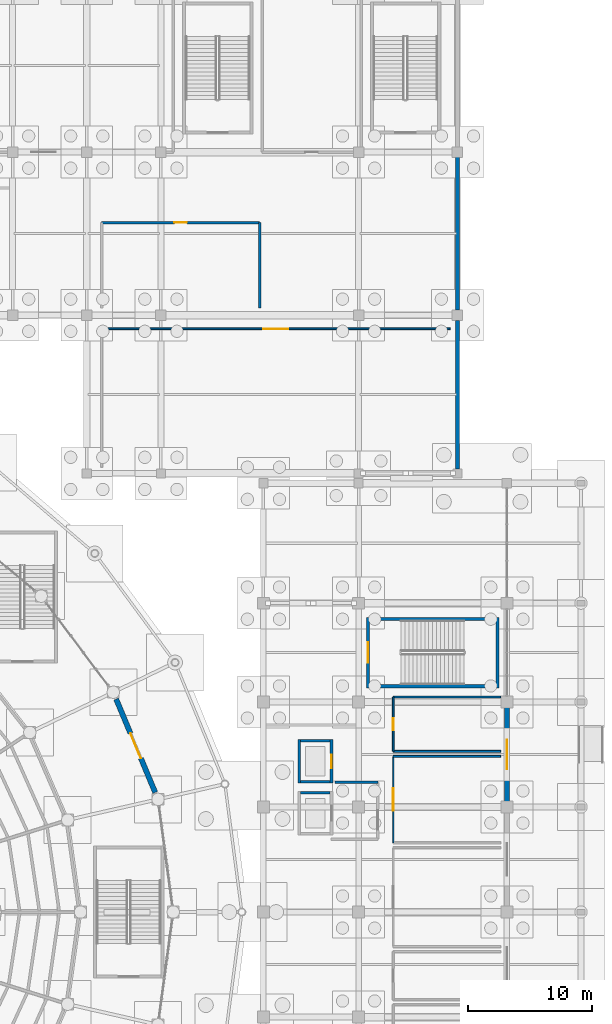
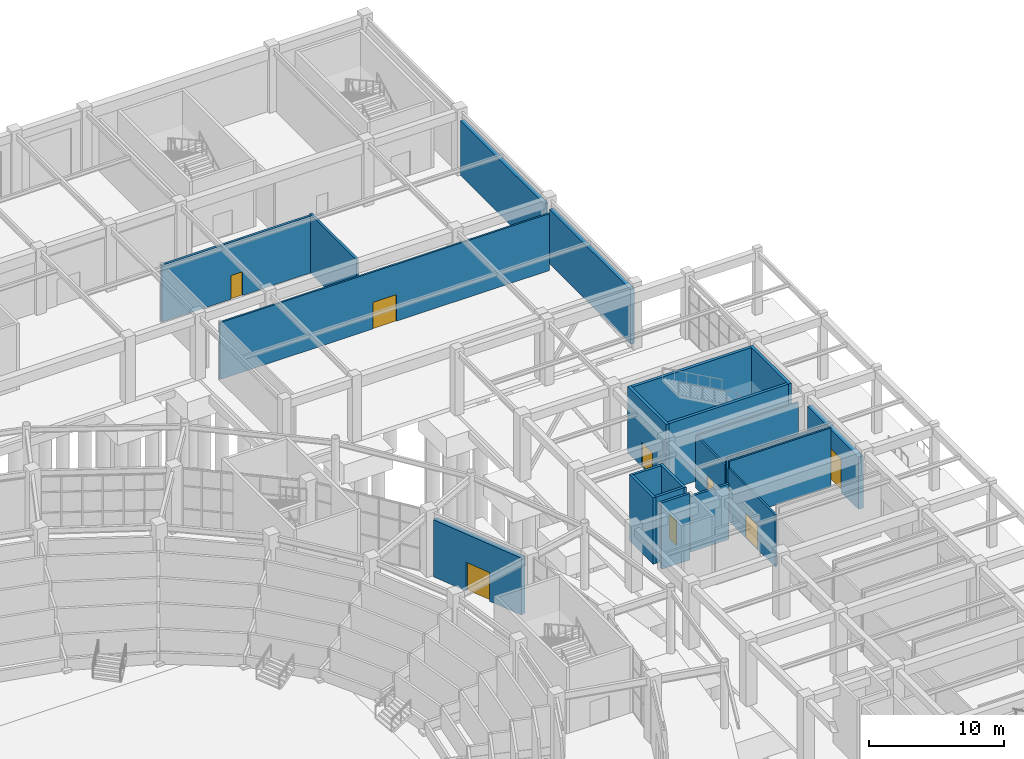
# One storey, part 92 of 121: 22 walls, 8 doors, 8 openings.
"""IFC4 building model written with IfcOpenShell, lengths in metres."""

from ifc_helpers import new_model, si_unit, direction, frame, frame_2d, origin, place, context, subcontext, project, spatial, rectangle, extrude, material, layer, layer_set, type_object, element, fill, save


model = new_model("IFC4")

# Units and contexts
model_context = context("Model", 3, precision=1e-05, world=origin(), true_north=direction((0.0, 1.0)))
body_context = subcontext(model_context, "Body", "Model", "MODEL_VIEW")
ifc_project = project(units=[si_unit("LENGTHUNIT", "METRE"), si_unit("AREAUNIT", "SQUARE_METRE"), si_unit("VOLUMEUNIT", "CUBIC_METRE"), si_unit("PLANEANGLEUNIT", "RADIAN"), si_unit("MASSUNIT", "GRAM", prefix="KILO")], contexts=[model_context])

# Site, building, storey
site_placement = place(None, origin())
site = spatial("IfcSite", under=ifc_project, at=site_placement, CompositionType="ELEMENT")
building_placement = place(site_placement, origin())
building = spatial("IfcBuilding", under=site, at=building_placement, Name="Cuetzalor Civic Arena", CompositionType="ELEMENT")
storey_placement = place(building_placement, origin())
storey = spatial("IfcBuildingStorey", under=building, at=storey_placement, Name="L00", CompositionType="ELEMENT", Elevation=0.0)

# Wall
ifc_material_1 = material(Name="Acoustic steel-stud gypsum partition", Category="steel")
ifc_layer_1 = layer(ifc_material_1, 0.14990234375)
ifc_layer_set_1 = layer_set([ifc_layer_1], Name="Acoustic steel-stud gypsum partition")
wall_type_1 = type_object("IfcWallType", Name="AcousticGypsumPartition_150", PredefinedType="PARTITIONING", material=ifc_layer_set_1)
wall_1_placement = place(storey_placement, frame((66.800048828125, 12.60009765625, 0.0), z_axis=(0.0, 0.0, 1.0), x_axis=(1.0, 0.0, 0.0)))
element("IfcWall", 1, at=wall_1_placement, inside=storey, type_object=wall_type_1, Name="Interior Partition IWALL:L00:0122", PredefinedType="PARTITIONING", context=body_context, shape_type="SweptSolid", body=[
    extrude(rectangle(XDim=8.699951171875, YDim=0.14990234375, at=frame_2d((4.35009765625, 0.0))), origin(), (0.0, 0.0, 1.0), 5.320068359375),
])

# Wall, opening, door
wall_2_placement = place(storey_placement, frame((66.800048828125, 5.60009765625, 0.0), z_axis=(0.0, 0.0, 1.0), x_axis=(0.0, 1.0, 0.0)))
wall_2 = element("IfcWall", 2, at=wall_2_placement, inside=storey, type_object=wall_type_1, Name="Interior Partition IWALL:L00:0124", PredefinedType="PARTITIONING", context=body_context, shape_type="SweptSolid", body=[
    extrude(rectangle(XDim=7.0, YDim=0.14990234375, at=frame_2d((3.5, 0.0))), origin(), (0.0, 0.0, 1.0), 4.72509765625),
])
opening_1_placement = place(wall_2_placement, frame((2.60009765625, 0.0, 0.0)))
opening_1 = element("IfcOpeningElement", 3, at=opening_1_placement, cuts=wall_2, Name="Opening ID-06", PredefinedType="OPENING", context=body_context, shape_type="SweptSolid", body=[
    extrude(rectangle(XDim=1.800048828125, YDim=2.199951171875, at=frame_2d((0.89990234375, 1.10009765625))), frame((0.0, 0.0849609375, 0.0), z_axis=(0.0, -1.0, 0.0), x_axis=(1.0, 0.0, 0.0)), (0.0, 0.0, 1.0), 0.169921875),
])
ifc_material_2 = material(Name="Glazed bronze acoustic double door", Category="metal")
door_type_1 = type_object("IfcDoorType", Name="PublicDoubleDoor_1800x2200", OperationType="DOUBLE_DOOR_SINGLE_SWING", PredefinedType="DOOR", material=ifc_material_2)
door_1_placement = place(opening_1_placement, origin())
door_1 = element("IfcDoor", 4, at=door_1_placement, inside=storey, type_object=door_type_1, Name="Door to Concessions Hall East North L00", OperationType="DOUBLE_DOOR_SINGLE_SWING", OverallHeight=2.199951171875, OverallWidth=1.800048828125, PredefinedType="DOOR", context=body_context, shape_type="SweptSolid", body=[
    extrude(rectangle(XDim=1.800048828125, YDim=2.199951171875, at=frame_2d((0.89990234375, 1.10009765625))), frame((0.0, 0.02490234375, 0.0), z_axis=(0.0, -1.0, 0.0), x_axis=(1.0, 0.0, 0.0)), (0.0, 0.0, 1.0), 0.050048828125),
])
fill(opening_1, door_1)

# Walls
wall_3_placement = place(storey_placement, frame((66.800048828125, 17.39990234375, 0.0), z_axis=(0.0, 0.0, 1.0), x_axis=(1.0, 0.0, 0.0)))
element("IfcWall", 5, at=wall_3_placement, inside=storey, type_object=wall_type_1, Name="Interior Partition IWALL:L00:0125", PredefinedType="PARTITIONING", context=body_context, shape_type="SweptSolid", body=[
    extrude(rectangle(XDim=8.699951171875, YDim=0.14990234375, at=frame_2d((4.35009765625, 0.0))), origin(), (0.0, 0.0, 1.0), 4.72509765625),
])
wall_4_placement = place(storey_placement, frame((75.5, 13.0, 0.0), z_axis=(0.0, 0.0, 1.0), x_axis=(-1.0, 0.0, 0.0)))
element("IfcWall", 6, at=wall_4_placement, inside=storey, type_object=wall_type_1, Name="Interior Partition IWALL:L00:0126", PredefinedType="PARTITIONING", context=body_context, shape_type="SweptSolid", body=[
    extrude(rectangle(XDim=8.699951171875, YDim=0.14990234375, at=frame_2d((4.35009765625, 0.0))), origin(), (0.0, 0.0, 1.0), 5.320068359375),
])

# Wall, opening, door
wall_5_placement = place(storey_placement, frame((66.800048828125, 13.0, 0.0), z_axis=(0.0, 0.0, 1.0), x_axis=(0.0, 1.0, 0.0)))
wall_5 = element("IfcWall", 7, at=wall_5_placement, inside=storey, type_object=wall_type_1, Name="Interior Partition IWALL:L00:0127", PredefinedType="PARTITIONING", context=body_context, shape_type="SweptSolid", body=[
    extrude(rectangle(XDim=4.39990234375, YDim=0.14990234375, at=frame_2d((2.199951171875, 0.0))), origin(), (0.0, 0.0, 1.0), 4.72509765625),
])
opening_2_placement = place(wall_5_placement, frame((1.72509765625, 0.0, 0.0)))
opening_2 = element("IfcOpeningElement", 8, at=opening_2_placement, cuts=wall_5, Name="Opening ID-03", PredefinedType="OPENING", context=body_context, shape_type="SweptSolid", body=[
    extrude(rectangle(XDim=0.949951171875, YDim=2.14990234375, at=frame_2d((0.47509765625, 1.074951171875))), frame((0.0, 0.0849609375, 0.0), z_axis=(0.0, -1.0, 0.0), x_axis=(1.0, 0.0, 0.0)), (0.0, 0.0, 1.0), 0.169921875),
])
ifc_material_3 = material(Name="Painted steel frame and solid timber leaf", Category="steel")
door_type_2 = type_object("IfcDoorType", Name="InteriorSingleDoor_950x2150", OperationType="NOTDEFINED", PredefinedType="DOOR", material=ifc_material_3)
door_2_placement = place(opening_2_placement, origin())
door_2 = element("IfcDoor", 9, at=door_2_placement, inside=storey, type_object=door_type_2, Name="Door to Public Restroom East North L00", OperationType="SINGLE_SWING_RIGHT", OverallHeight=2.14990234375, OverallWidth=0.949951171875, PredefinedType="DOOR", context=body_context, shape_type="SweptSolid", body=[
    extrude(rectangle(XDim=0.949951171875, YDim=2.14990234375, at=frame_2d((0.47509765625, 1.074951171875))), frame((0.0, 0.02490234375, 0.0), z_axis=(0.0, -1.0, 0.0), x_axis=(1.0, 0.0, 0.0)), (0.0, 0.0, 1.0), 0.050048828125),
])
fill(opening_2, door_2)

wall_6_placement = place(storey_placement, frame((43.199951171875, 47.199951171875, 0.0), z_axis=(0.0, 0.0, 1.0), x_axis=(1.0, 0.0, 0.0)))
wall_6 = element("IfcWall", 10, at=wall_6_placement, inside=storey, type_object=wall_type_1, Name="Interior Partition IWALL:L00:0179", PredefinedType="PARTITIONING", context=body_context, shape_type="SweptSolid", body=[
    extrude(rectangle(XDim=28.199951171875, YDim=0.14990234375, at=frame_2d((14.10009765625, 0.0))), origin(), (0.0, 0.0, 1.0), 5.14208984375),
])
opening_3_placement = place(wall_6_placement, frame((13.10009765625, 0.0, 0.0)))
opening_3 = element("IfcOpeningElement", 11, at=opening_3_placement, cuts=wall_6, Name="Opening ID-08", PredefinedType="OPENING", context=body_context, shape_type="SweptSolid", body=[
    extrude(rectangle(XDim=2.0, YDim=2.39990234375, at=frame_2d((1.0, 1.199951171875))), frame((0.0, 0.0849609375, 0.0), z_axis=(0.0, -1.0, 0.0), x_axis=(1.0, 0.0, 0.0)), (0.0, 0.0, 1.0), 0.169921875),
])
ifc_material_4 = material(Name="Heavy-duty steel back-of-house double door", Category="steel")
door_type_3 = type_object("IfcDoorType", Name="ServiceDoubleDoor_2000x2400", OperationType="DOUBLE_DOOR_SINGLE_SWING", PredefinedType="DOOR", material=ifc_material_4)
door_3_placement = place(opening_3_placement, origin())
door_3 = element("IfcDoor", 12, at=door_3_placement, inside=storey, type_object=door_type_3, Name="Door to Event Equipment and Seating Store", OperationType="DOUBLE_DOOR_SINGLE_SWING", OverallHeight=2.39990234375, OverallWidth=2.0, PredefinedType="DOOR", context=body_context, shape_type="SweptSolid", body=[
    extrude(rectangle(XDim=2.0, YDim=2.39990234375, at=frame_2d((1.0, 1.199951171875))), frame((0.0, 0.02490234375, 0.0), z_axis=(0.0, -1.0, 0.0), x_axis=(1.0, 0.0, 0.0)), (0.0, 0.0, 1.0), 0.050048828125),
])
fill(opening_3, door_3)

# Walls
ifc_material_5 = material(Name="Dark volcanic basalt ashlar on Concrete C35/45", Category="masonry")
ifc_layer_2 = layer(ifc_material_5, 0.35009765625)
ifc_layer_set_2 = layer_set([ifc_layer_2], Name="Dark volcanic basalt ashlar on Concrete C35/45")
wall_type_2 = type_object("IfcWallType", Name="BasaltAshlarWall_350", PredefinedType="SOLIDWALL", material=ifc_layer_set_2)
wall_7_placement = place(storey_placement, frame((72.0, 47.89306640625, 0.0), z_axis=(0.0, 0.0, 1.0), x_axis=(0.0, -1.0, 0.0)))
element("IfcWall", 13, at=wall_7_placement, inside=storey, type_object=wall_type_2, Name="North Wing East Basalt Wall L00-234", PredefinedType="SOLIDWALL", context=body_context, shape_type="SweptSolid", body=[
    extrude(rectangle(XDim=12.0361328125, YDim=0.35009765625, at=frame_2d((6.01806640625, 0.0))), origin(), (0.0, 0.0, 1.0), 4.93994140625),
])
wall_8_placement = place(storey_placement, frame((72.0, 61.093017578125, 0.0), z_axis=(0.0, 0.0, 1.0), x_axis=(0.0, -1.0, 0.0)))
element("IfcWall", 14, at=wall_8_placement, inside=storey, type_object=wall_type_2, Name="North Wing East Basalt Wall L00-236", PredefinedType="SOLIDWALL", context=body_context, shape_type="SweptSolid", body=[
    extrude(rectangle(XDim=12.385986328125, YDim=0.35009765625, at=frame_2d((6.19287109375, 0.0))), origin(), (0.0, 0.0, 1.0), 4.93994140625),
])

# Wall, opening, door
ifc_material_6 = material(Name="Puebla cantera gris stone on Concrete C35/45", Category="masonry")
ifc_layer_3 = layer(ifc_material_6, 0.419921875)
ifc_layer_set_3 = layer_set([ifc_layer_3], Name="Puebla cantera gris stone on Concrete C35/45")
wall_type_3 = type_object("IfcWallType", Name="CanteraStoneArcadeWall_420", PredefinedType="SOLIDWALL", material=ifc_layer_set_3)
wall_9_placement = place(storey_placement, frame((44.38037109375, 17.232421875, 0.0), z_axis=(0.0, 0.0, 1.0), x_axis=(0.385830591871, -0.92256964744, 0.0)))
wall_9 = element("IfcWall", 15, at=wall_9_placement, inside=storey, type_object=wall_type_3, Name="Drum Ground Colonnade Portal Wall L00-001", PredefinedType="SOLIDWALL", context=body_context, shape_type="SweptSolid", body=[
    extrude(rectangle(XDim=8.18603515625, YDim=0.419921875, at=frame_2d((4.093017578125, 0.0))), origin(), (0.0, 0.0, 1.0), 5.156982421875),
])
opening_4_placement = place(wall_9_placement, frame((2.992919921875, 0.0, 0.0)))
opening_4 = element("IfcOpeningElement", 16, at=opening_4_placement, cuts=wall_9, Name="Opening ED-07", PredefinedType="OPENING", context=body_context, shape_type="SweptSolid", body=[
    extrude(rectangle(XDim=2.199951171875, YDim=2.60009765625, at=frame_2d((1.10009765625, 1.300048828125))), frame((0.0, 0.219970703125, 0.0), z_axis=(0.0, -1.0, 0.0), x_axis=(1.0, 0.0, 0.0)), (0.0, 0.0, 1.0), 0.43994140625),
])
ifc_material_7 = material(Name="Thermally broken bronze steel and laminated glass", Category="steel")
door_type_4 = type_object("IfcDoorType", Name="PedestrianExitPortal_2200x2600", OperationType="DOUBLE_DOOR_SINGLE_SWING", PredefinedType="DOOR", material=ifc_material_7)
door_4_placement = place(opening_4_placement, origin())
door_4 = element("IfcDoor", 17, at=door_4_placement, inside=storey, type_object=door_type_4, Name="Pedestrian exit gate G01", OperationType="DOUBLE_DOOR_SINGLE_SWING", OverallHeight=2.60009765625, OverallWidth=2.199951171875, PredefinedType="DOOR", context=body_context, shape_type="SweptSolid", body=[
    extrude(rectangle(XDim=2.199951171875, YDim=2.60009765625, at=frame_2d((1.10009765625, 1.300048828125))), frame((0.0, 0.02490234375, 0.0), z_axis=(0.0, -1.0, 0.0), x_axis=(1.0, 0.0, 0.0)), (0.0, 0.0, 1.0), 0.050048828125),
])
fill(opening_4, door_4)

wall_10_placement = place(storey_placement, frame((76.0, 16.54296875, 0.0), z_axis=(0.0, 0.0, 1.0), x_axis=(0.0, -1.0, 0.0)))
wall_10 = element("IfcWall", 18, at=wall_10_placement, inside=storey, type_object=wall_type_3, Name="V4E Colonnade Entrance Wall L00-158", PredefinedType="SOLIDWALL", context=body_context, shape_type="SweptSolid", body=[
    extrude(rectangle(XDim=7.5859375, YDim=0.419921875, at=frame_2d((3.79296875, 0.0))), origin(), (0.0, 0.0, 1.0), 4.739990234375),
])
opening_5_placement = place(wall_10_placement, frame((2.593017578125, 0.0, 0.0)))
opening_5 = element("IfcOpeningElement", 19, at=opening_5_placement, cuts=wall_10, Name="Opening ED-01", PredefinedType="OPENING", context=body_context, shape_type="SweptSolid", body=[
    extrude(rectangle(XDim=2.39990234375, YDim=3.0, at=frame_2d((1.199951171875, 1.5))), frame((0.0, 0.219970703125, 0.0), z_axis=(0.0, -1.0, 0.0), x_axis=(1.0, 0.0, 0.0)), (0.0, 0.0, 1.0), 0.43994140625),
])
ifc_material_8 = material(Name="Thermally broken bronze steel and laminated glass", Category="steel")
door_type_5 = type_object("IfcDoorType", Name="MainColonnadeEntrance_2400x3000", OperationType="DOUBLE_DOOR_SINGLE_SWING", PredefinedType="DOOR", material=ifc_material_8)
door_5_placement = place(opening_5_placement, origin())
door_5 = element("IfcDoor", 20, at=door_5_placement, inside=storey, type_object=door_type_5, Name="Main entrance E16", OperationType="DOUBLE_DOOR_SINGLE_SWING", OverallHeight=3.0, OverallWidth=2.39990234375, PredefinedType="DOOR", context=body_context, shape_type="SweptSolid", body=[
    extrude(rectangle(XDim=2.39990234375, YDim=3.0, at=frame_2d((1.199951171875, 1.5))), frame((0.0, 0.02490234375, 0.0), z_axis=(0.0, -1.0, 0.0), x_axis=(1.0, 0.0, 0.0)), (0.0, 0.0, 1.0), 0.050048828125),
])
fill(opening_5, door_5)

ifc_material_9 = material(Name="Concrete C40/50", Category="concrete")
ifc_layer_4 = layer(ifc_material_9, 0.25)
ifc_layer_set_4 = layer_set([ifc_layer_4], Name="Concrete C40/50")
wall_type_4 = type_object("IfcWallType", Name="ConcreteCoreShearWall_250", PredefinedType="SHEAR", material=ifc_layer_set_4)
wall_11_placement = place(storey_placement, frame((64.77490234375, 18.14990234375, 0.0), z_axis=(0.0, 0.0, 1.0), x_axis=(0.0, 1.0, 0.0)))
wall_11 = element("IfcWall", 21, at=wall_11_placement, inside=storey, type_object=wall_type_4, Name="Stair Core Shear Wall ST-22-L00-W", PredefinedType="SHEAR", context=body_context, shape_type="SweptSolid", body=[
    extrude(rectangle(XDim=5.7001953125, YDim=0.25, at=frame_2d((2.85009765625, 0.0))), origin(), (0.0, 0.0, 1.0), 6.0),
])
opening_6_placement = place(wall_11_placement, frame((2.02490234375, 0.0, 0.0)))
opening_6 = element("IfcOpeningElement", 22, at=opening_6_placement, cuts=wall_11, Name="Opening FD-04", PredefinedType="OPENING", context=body_context, shape_type="SweptSolid", body=[
    extrude(rectangle(XDim=1.64990234375, YDim=2.199951171875, at=frame_2d((0.824951171875, 1.10009765625))), frame((0.0, 0.135009765625, 0.0), z_axis=(0.0, -1.0, 0.0), x_axis=(1.0, 0.0, 0.0)), (0.0, 0.0, 1.0), 0.27001953125),
])
ifc_material_10 = material(Name="Fire-rated steel stair exit double door", Category="steel")
door_type_6 = type_object("IfcDoorType", Name="StairFireDoubleDoor_1650x2200", OperationType="DOUBLE_DOOR_SINGLE_SWING", PredefinedType="DOOR", material=ifc_material_10)
door_6_placement = place(opening_6_placement, origin())
door_6 = element("IfcDoor", 23, at=door_6_placement, inside=storey, type_object=door_type_6, Name="Fire Stair Door ST-22 L00", OperationType="DOUBLE_DOOR_SINGLE_SWING", OverallHeight=2.199951171875, OverallWidth=1.64990234375, PredefinedType="DOOR", context=body_context, shape_type="SweptSolid", body=[
    extrude(rectangle(XDim=1.64990234375, YDim=2.199951171875, at=frame_2d((0.824951171875, 1.10009765625))), frame((0.0, 0.02490234375, 0.0), z_axis=(0.0, -1.0, 0.0), x_axis=(1.0, 0.0, 0.0)), (0.0, 0.0, 1.0), 0.050048828125),
])
fill(opening_6, door_6)

# Walls
wall_12_placement = place(storey_placement, frame((64.89990234375, 23.72509765625, 0.0), z_axis=(0.0, 0.0, 1.0), x_axis=(1.0, 0.0, 0.0)))
element("IfcWall", 24, at=wall_12_placement, inside=storey, type_object=wall_type_4, Name="Stair Core Shear Wall ST-22-L00-N", PredefinedType="SHEAR", context=body_context, shape_type="SweptSolid", body=[
    extrude(rectangle(XDim=10.2001953125, YDim=0.25, at=frame_2d((5.10009765625, 0.0))), origin(), (0.0, 0.0, 1.0), 6.0),
])
wall_13_placement = place(storey_placement, frame((75.22509765625, 23.85009765625, 0.0), z_axis=(0.0, 0.0, 1.0), x_axis=(0.0, -1.0, 0.0)))
element("IfcWall", 25, at=wall_13_placement, inside=storey, type_object=wall_type_4, Name="Stair Core Shear Wall ST-22-L00-E", PredefinedType="SHEAR", context=body_context, shape_type="SweptSolid", body=[
    extrude(rectangle(XDim=5.7001953125, YDim=0.25, at=frame_2d((2.85009765625, 0.0))), origin(), (0.0, 0.0, 1.0), 6.0),
])
wall_14_placement = place(storey_placement, frame((75.10009765625, 18.27490234375, 0.0), z_axis=(0.0, 0.0, 1.0), x_axis=(-1.0, 0.0, 0.0)))
element("IfcWall", 26, at=wall_14_placement, inside=storey, type_object=wall_type_4, Name="Stair Core Shear Wall ST-22-L00-S", PredefinedType="SHEAR", context=body_context, shape_type="SweptSolid", body=[
    extrude(rectangle(XDim=10.2001953125, YDim=0.25, at=frame_2d((5.10009765625, 0.0))), origin(), (0.0, 0.0, 1.0), 6.0),
])
ifc_material_11 = material(Name="Fire-rated masonry and gypsum partition", Category="masonry")
ifc_layer_5 = layer(ifc_material_11, 0.199951171875)
ifc_layer_set_5 = layer_set([ifc_layer_5], Name="Fire-rated masonry and gypsum partition")
wall_type_5 = type_object("IfcWallType", Name="FireCompartmentWall_200", PredefinedType="PARTITIONING", material=ifc_layer_set_5)
wall_15_placement = place(storey_placement, frame((62.070068359375, 10.5, 0.0), z_axis=(0.0, 0.0, 1.0), x_axis=(1.0, 0.0, 0.0)))
element("IfcWall", 27, at=wall_15_placement, inside=storey, type_object=wall_type_5, Name="Interior Partition IWALL:L00:0056", PredefinedType="PARTITIONING", context=body_context, shape_type="SweptSolid", body=[
    extrude(rectangle(XDim=3.47998046875, YDim=0.199951171875, at=frame_2d((1.739990234375, 0.0))), origin(), (0.0, 0.0, 1.0), 5.02490234375),
])

# Wall, opening, door
wall_16_placement = place(storey_placement, frame((43.199951171875, 55.800048828125, 0.0), z_axis=(0.0, 0.0, 1.0), x_axis=(1.0, 0.0, 0.0)))
wall_16 = element("IfcWall", 28, at=wall_16_placement, inside=storey, type_object=wall_type_5, Name="Interior Partition IWALL:L00:0176", PredefinedType="PARTITIONING", context=body_context, shape_type="SweptSolid", body=[
    extrude(rectangle(XDim=12.800048828125, YDim=0.199951171875, at=frame_2d((6.39990234375, 0.0))), origin(), (0.0, 0.0, 1.0), 5.14208984375),
])
opening_7_placement = place(wall_16_placement, frame((5.89990234375, 0.0, 0.0)))
opening_7 = element("IfcOpeningElement", 29, at=opening_7_placement, cuts=wall_16, Name="Opening FD-01", PredefinedType="OPENING", context=body_context, shape_type="SweptSolid", body=[
    extrude(rectangle(XDim=1.0, YDim=2.14990234375, at=frame_2d((0.5, 1.074951171875))), frame((0.0, 0.10986328125, 0.0), z_axis=(0.0, -1.0, 0.0), x_axis=(1.0, 0.0, 0.0)), (0.0, 0.0, 1.0), 0.219970703125),
])
ifc_material_12 = material(Name="Fire-rated insulated steel door", Category="steel")
door_type_7 = type_object("IfcDoorType", Name="FireSingleDoor_1000x2150", OperationType="NOTDEFINED", PredefinedType="DOOR", material=ifc_material_12)
door_7_placement = place(opening_7_placement, origin())
door_7 = element("IfcDoor", 30, at=door_7_placement, inside=storey, type_object=door_type_7, Name="Door to Fire Pump Room", OperationType="SINGLE_SWING_RIGHT", OverallHeight=2.14990234375, OverallWidth=1.0, PredefinedType="DOOR", context=body_context, shape_type="SweptSolid", body=[
    extrude(rectangle(XDim=1.0, YDim=2.14990234375, at=frame_2d((0.5, 1.074951171875))), frame((0.0, 0.02490234375, 0.0), z_axis=(0.0, -1.0, 0.0), x_axis=(1.0, 0.0, 0.0)), (0.0, 0.0, 1.0), 0.050048828125),
])
fill(opening_7, door_7)

# Walls
wall_17_placement = place(storey_placement, frame((56.0, 55.800048828125, 0.0), z_axis=(0.0, 0.0, 1.0), x_axis=(0.0, -1.0, 0.0)))
element("IfcWall", 31, at=wall_17_placement, inside=storey, type_object=wall_type_5, Name="Interior Partition IWALL:L00:0178", PredefinedType="PARTITIONING", context=body_context, shape_type="SweptSolid", body=[
    extrude(rectangle(XDim=6.900146484375, YDim=0.199951171875, at=frame_2d((3.4501953125, 0.0))), origin(), (0.0, 0.0, 1.0), 5.320068359375),
])
ifc_material_13 = material(Name="Concrete C40/50", Category="concrete")
ifc_layer_6 = layer(ifc_material_13, 0.219970703125)
ifc_layer_set_6 = layer_set([ifc_layer_6], Name="Concrete C40/50")
wall_type_6 = type_object("IfcWallType", Name="LiftShaftShearWall_220", PredefinedType="SHEAR", material=ifc_layer_set_6)
wall_18_placement = place(storey_placement, frame((59.300048828125, 9.659912109375, 0.0), z_axis=(0.0, 0.0, 1.0), x_axis=(1.0, 0.0, 0.0)))
element("IfcWall", 32, at=wall_18_placement, inside=storey, type_object=wall_type_6, Name="Lift Shaft Wall LF-04-L00-N", PredefinedType="SHEAR", context=body_context, shape_type="SweptSolid", body=[
    extrude(rectangle(XDim=2.39990234375, YDim=0.219970703125, at=frame_2d((1.199951171875, 0.0))), origin(), (0.0, 0.0, 1.0), 6.0),
])
wall_19_placement = place(storey_placement, frame((59.18994140625, 10.429931640625, 0.0), z_axis=(0.0, 0.0, 1.0), x_axis=(0.0, 1.0, 0.0)))
element("IfcWall", 33, at=wall_19_placement, inside=storey, type_object=wall_type_6, Name="Lift Shaft Wall LP-06-L00-W", PredefinedType="SHEAR", context=body_context, shape_type="SweptSolid", body=[
    extrude(rectangle(XDim=3.5400390625, YDim=0.219970703125, at=frame_2d((1.77001953125, 0.0))), origin(), (0.0, 0.0, 1.0), 6.0),
])
wall_20_placement = place(storey_placement, frame((59.300048828125, 13.860107421875, 0.0), z_axis=(0.0, 0.0, 1.0), x_axis=(1.0, 0.0, 0.0)))
element("IfcWall", 34, at=wall_20_placement, inside=storey, type_object=wall_type_6, Name="Lift Shaft Wall LP-06-L00-N", PredefinedType="SHEAR", context=body_context, shape_type="SweptSolid", body=[
    extrude(rectangle(XDim=2.39990234375, YDim=0.219970703125, at=frame_2d((1.199951171875, 0.0))), origin(), (0.0, 0.0, 1.0), 6.0),
])

# Wall, opening, door
wall_21_placement = place(storey_placement, frame((61.81005859375, 13.969970703125, 0.0), z_axis=(0.0, 0.0, 1.0), x_axis=(0.0, -1.0, 0.0)))
wall_21 = element("IfcWall", 35, at=wall_21_placement, inside=storey, type_object=wall_type_6, Name="Lift Shaft Wall LP-06-L00-E", PredefinedType="SHEAR", context=body_context, shape_type="SweptSolid", body=[
    extrude(rectangle(XDim=3.5400390625, YDim=0.219970703125, at=frame_2d((1.77001953125, 0.0))), origin(), (0.0, 0.0, 1.0), 6.0),
])
opening_8_placement = place(wall_21_placement, frame((1.219970703125, 0.0, 0.0)))
opening_8 = element("IfcOpeningElement", 36, at=opening_8_placement, cuts=wall_21, Name="Opening LD-01", PredefinedType="OPENING", context=body_context, shape_type="SweptSolid", body=[
    extrude(rectangle(XDim=1.10009765625, YDim=2.199951171875, at=frame_2d((0.550048828125, 1.10009765625))), frame((0.0, 0.1201171875, 0.0), z_axis=(0.0, -1.0, 0.0), x_axis=(1.0, 0.0, 0.0)), (0.0, 0.0, 1.0), 0.239990234375),
])
ifc_material_14 = material(Name="Brushed stainless steel sliding lift landing door", Category="steel")
door_type_8 = type_object("IfcDoorType", Name="LiftLandingSlidingDoor_1100x2200", OperationType="SLIDING_TO_LEFT", PredefinedType="DOOR", material=ifc_material_14)
door_8_placement = place(opening_8_placement, origin())
door_8 = element("IfcDoor", 37, at=door_8_placement, inside=storey, type_object=door_type_8, Name="Lift Landing Sliding Door LP-06 L00", OperationType="SLIDING_TO_LEFT", OverallHeight=2.199951171875, OverallWidth=1.10009765625, PredefinedType="DOOR", context=body_context, shape_type="SweptSolid", body=[
    extrude(rectangle(XDim=1.10009765625, YDim=2.199951171875, at=frame_2d((0.550048828125, 1.10009765625))), frame((0.0, 0.02490234375, 0.0), z_axis=(0.0, -1.0, 0.0), x_axis=(1.0, 0.0, 0.0)), (0.0, 0.0, 1.0), 0.050048828125),
])
fill(opening_8, door_8)

# Wall
wall_22_placement = place(storey_placement, frame((61.699951171875, 10.5400390625, 0.0), z_axis=(0.0, 0.0, 1.0), x_axis=(-1.0, 0.0, 0.0)))
element("IfcWall", 38, at=wall_22_placement, inside=storey, type_object=wall_type_6, Name="Lift Shaft Wall LP-06-L00-S", PredefinedType="SHEAR", context=body_context, shape_type="SweptSolid", body=[
    extrude(rectangle(XDim=2.39990234375, YDim=0.219970703125, at=frame_2d((1.199951171875, 0.0))), origin(), (0.0, 0.0, 1.0), 6.0),
])

save(model, "model.ifc")
